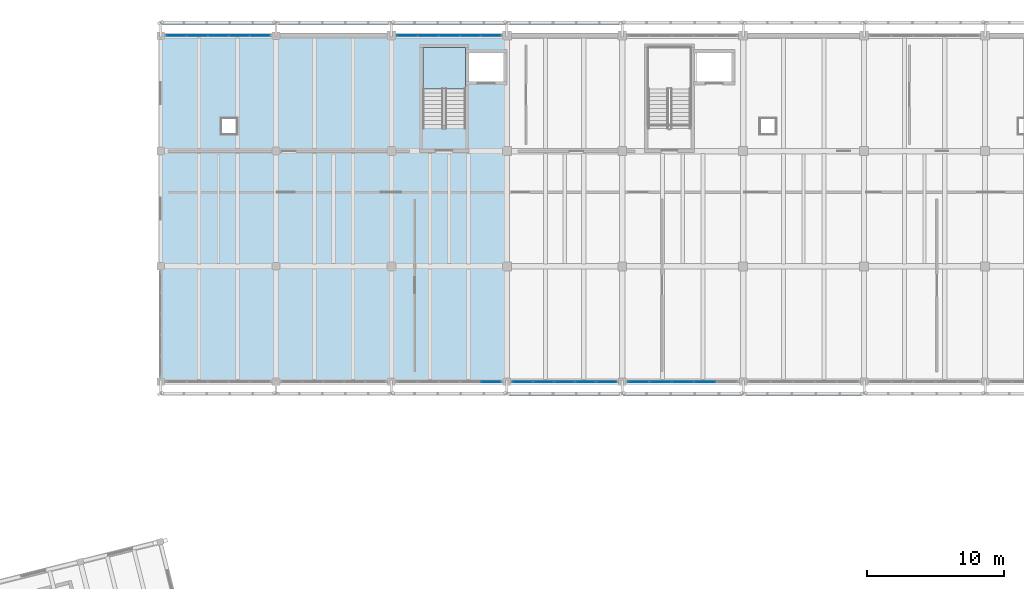
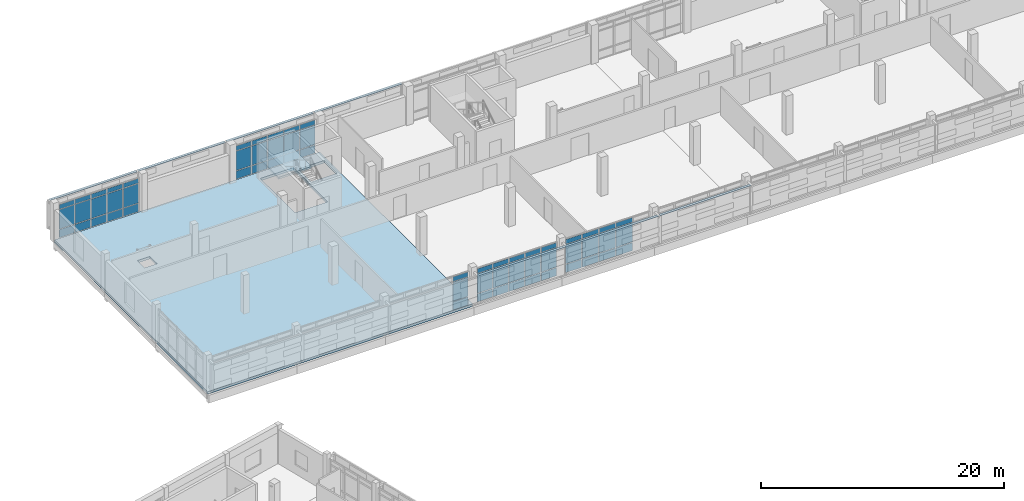
# One storey, part 88 of 117: 67 plates, 2 slabs, 6 elements without a shape of their own.
"""IFC4 building model written with IfcOpenShell, lengths in metres."""

from ifc_helpers import new_model, si_unit, direction, frame, origin, origin_2d, place, context, subcontext, project, spatial, polyline, rectangle, outline, extrude, material, layer, layer_set, type_object, element, aggregate, save


model = new_model("IFC4")

# Units and contexts
model_context = context("Model", 3, precision=1e-05, world=origin(), true_north=direction((0.0, 1.0)))
body_context = subcontext(model_context, "Body", "Model", "MODEL_VIEW")
ifc_project = project(units=[si_unit("LENGTHUNIT", "METRE"), si_unit("AREAUNIT", "SQUARE_METRE"), si_unit("VOLUMEUNIT", "CUBIC_METRE"), si_unit("PLANEANGLEUNIT", "RADIAN"), si_unit("MASSUNIT", "GRAM", prefix="KILO")], contexts=[model_context])

# Site, building, storey
site_placement = place(None, origin())
site = spatial("IfcSite", under=ifc_project, at=site_placement, CompositionType="ELEMENT")
building_placement = place(site_placement, origin())
building = spatial("IfcBuilding", under=site, at=building_placement, Name="Cinderway Yard Community Centre", CompositionType="ELEMENT")
storey_placement = place(building_placement, frame((0.0, 0.0, 9.0)))
storey = spatial("IfcBuildingStorey", under=building, at=storey_placement, Name="L02", CompositionType="ELEMENT", Elevation=9.0)

# Curtain wall, plates
ifc_material_1 = material(Name="Aluminium 6063-T6", Category="aluminium")
curtain_wall_type_1 = type_object("IfcCurtainWallType", Name="ENV-CW-TYPE-29", PredefinedType="USERDEFINED", material=ifc_material_1)
curtain_wall_1_placement = place(storey_placement, origin())
curtain_wall_1 = element("IfcCurtainWall", 1, at=curtain_wall_1_placement, inside=storey, type_object=curtain_wall_type_1, Name="V4 Street Curtain Wall ENV-CW-L02-ST-0142", ObjectType="GLAZED CURTAIN WALL", PredefinedType="USERDEFINED")
ifc_material_2 = material(Name="Laminated Low-E Glass", Category="glass")
ifc_layer_1 = layer(ifc_material_2, 0.028076171875, Name="Laminated Low-E Glass")
ifc_layer_set_1 = layer_set([ifc_layer_1], Name="Laminated Low-E Glass")
plate_type_1 = type_object("IfcPlateType", Name="ENV-CW-PAN-IGU28", PredefinedType="CURTAIN_PANEL", material=ifc_layer_set_1)
plate_1_placement = place(storey_placement, frame((42.759033203125, 115.199951171875, 0.06005859375), z_axis=(0.0, 0.0, 1.0), x_axis=(1.0, 0.0, 0.0)))
plate_1 = element("IfcPlate", 2, at=plate_1_placement, type_object=plate_type_1, Name="CW-29 panel 1.1", PredefinedType="CURTAIN_PANEL", context=body_context, shape_type="SweptSolid", body=[
    extrude(rectangle(XDim=1.43798828125, YDim=0.028076171875, at=origin_2d()), origin(), (0.0, 0.0, 1.0), 0.81005859375),
])
plate_2_placement = place(storey_placement, frame((42.759033203125, 115.199951171875, 0.929931640625), z_axis=(0.0, 0.0, 1.0), x_axis=(1.0, 0.0, 0.0)))
plate_2 = element("IfcPlate", 3, at=plate_2_placement, type_object=plate_type_1, Name="CW-29 panel 1.2", PredefinedType="CURTAIN_PANEL", context=body_context, shape_type="SweptSolid", body=[
    extrude(rectangle(XDim=1.43798828125, YDim=0.028076171875, at=origin_2d()), origin(), (0.0, 0.0, 1.0), 1.93994140625),
])
plate_3_placement = place(storey_placement, frame((42.759033203125, 115.199951171875, 2.929931640625), z_axis=(0.0, 0.0, 1.0), x_axis=(1.0, 0.0, 0.0)))
plate_3 = element("IfcPlate", 4, at=plate_3_placement, type_object=plate_type_1, Name="CW-29 panel 1.3", PredefinedType="CURTAIN_PANEL", context=body_context, shape_type="SweptSolid", body=[
    extrude(rectangle(XDim=1.43798828125, YDim=0.028076171875, at=origin_2d()), origin(), (0.0, 0.0, 1.0), 0.4599609375),
])
plate_4_placement = place(storey_placement, frame((44.27197265625, 115.199951171875, 0.06005859375), z_axis=(0.0, 0.0, 1.0), x_axis=(1.0, 0.0, 0.0)))
plate_4 = element("IfcPlate", 5, at=plate_4_placement, type_object=plate_type_1, Name="CW-29 panel 2.1", PredefinedType="CURTAIN_PANEL", context=body_context, shape_type="SweptSolid", body=[
    extrude(rectangle(XDim=1.468017578125, YDim=0.028076171875, at=origin_2d()), origin(), (0.0, 0.0, 1.0), 0.81005859375),
])
plate_5_placement = place(storey_placement, frame((44.27197265625, 115.199951171875, 0.929931640625), z_axis=(0.0, 0.0, 1.0), x_axis=(1.0, 0.0, 0.0)))
plate_5 = element("IfcPlate", 6, at=plate_5_placement, type_object=plate_type_1, Name="CW-29 panel 2.2", PredefinedType="CURTAIN_PANEL", context=body_context, shape_type="SweptSolid", body=[
    extrude(rectangle(XDim=1.468017578125, YDim=0.028076171875, at=origin_2d()), origin(), (0.0, 0.0, 1.0), 1.93994140625),
])
plate_6_placement = place(storey_placement, frame((44.27197265625, 115.199951171875, 2.929931640625), z_axis=(0.0, 0.0, 1.0), x_axis=(1.0, 0.0, 0.0)))
plate_6 = element("IfcPlate", 7, at=plate_6_placement, type_object=plate_type_1, Name="CW-29 panel 2.3", PredefinedType="CURTAIN_PANEL", context=body_context, shape_type="SweptSolid", body=[
    extrude(rectangle(XDim=1.468017578125, YDim=0.028076171875, at=origin_2d()), origin(), (0.0, 0.0, 1.0), 0.4599609375),
])
plate_7_placement = place(storey_placement, frame((45.800048828125, 115.199951171875, 0.06005859375), z_axis=(0.0, 0.0, 1.0), x_axis=(1.0, 0.0, 0.0)))
plate_7 = element("IfcPlate", 8, at=plate_7_placement, type_object=plate_type_1, Name="CW-29 panel 3.1", PredefinedType="CURTAIN_PANEL", context=body_context, shape_type="SweptSolid", body=[
    extrude(rectangle(XDim=1.468017578125, YDim=0.028076171875, at=origin_2d()), origin(), (0.0, 0.0, 1.0), 0.81005859375),
])
plate_8_placement = place(storey_placement, frame((45.800048828125, 115.199951171875, 0.929931640625), z_axis=(0.0, 0.0, 1.0), x_axis=(1.0, 0.0, 0.0)))
plate_8 = element("IfcPlate", 9, at=plate_8_placement, type_object=plate_type_1, Name="CW-29 panel 3.2", PredefinedType="CURTAIN_PANEL", context=body_context, shape_type="SweptSolid", body=[
    extrude(rectangle(XDim=1.468017578125, YDim=0.028076171875, at=origin_2d()), origin(), (0.0, 0.0, 1.0), 1.93994140625),
])
plate_9_placement = place(storey_placement, frame((45.800048828125, 115.199951171875, 2.929931640625), z_axis=(0.0, 0.0, 1.0), x_axis=(1.0, 0.0, 0.0)))
plate_9 = element("IfcPlate", 10, at=plate_9_placement, type_object=plate_type_1, Name="CW-29 panel 3.3", PredefinedType="CURTAIN_PANEL", context=body_context, shape_type="SweptSolid", body=[
    extrude(rectangle(XDim=1.468017578125, YDim=0.028076171875, at=origin_2d()), origin(), (0.0, 0.0, 1.0), 0.4599609375),
])
plate_10_placement = place(storey_placement, frame((47.327880859375, 115.199951171875, 0.06005859375), z_axis=(0.0, 0.0, 1.0), x_axis=(1.0, 0.0, 0.0)))
plate_10 = element("IfcPlate", 11, at=plate_10_placement, type_object=plate_type_1, Name="CW-29 panel 4.1", PredefinedType="CURTAIN_PANEL", context=body_context, shape_type="SweptSolid", body=[
    extrude(rectangle(XDim=1.468017578125, YDim=0.028076171875, at=origin_2d()), origin(), (0.0, 0.0, 1.0), 0.81005859375),
])
plate_11_placement = place(storey_placement, frame((47.327880859375, 115.199951171875, 0.929931640625), z_axis=(0.0, 0.0, 1.0), x_axis=(1.0, 0.0, 0.0)))
plate_11 = element("IfcPlate", 12, at=plate_11_placement, type_object=plate_type_1, Name="CW-29 panel 4.2", PredefinedType="CURTAIN_PANEL", context=body_context, shape_type="SweptSolid", body=[
    extrude(rectangle(XDim=1.468017578125, YDim=0.028076171875, at=origin_2d()), origin(), (0.0, 0.0, 1.0), 1.93994140625),
])
plate_12_placement = place(storey_placement, frame((47.327880859375, 115.199951171875, 2.929931640625), z_axis=(0.0, 0.0, 1.0), x_axis=(1.0, 0.0, 0.0)))
plate_12 = element("IfcPlate", 13, at=plate_12_placement, type_object=plate_type_1, Name="CW-29 panel 4.3", PredefinedType="CURTAIN_PANEL", context=body_context, shape_type="SweptSolid", body=[
    extrude(rectangle(XDim=1.468017578125, YDim=0.028076171875, at=origin_2d()), origin(), (0.0, 0.0, 1.0), 0.4599609375),
])
plate_13_placement = place(storey_placement, frame((48.841064453125, 115.199951171875, 0.06005859375), z_axis=(0.0, 0.0, 1.0), x_axis=(1.0, 0.0, 0.0)))
plate_13 = element("IfcPlate", 14, at=plate_13_placement, type_object=plate_type_1, Name="CW-29 panel 5.1", PredefinedType="CURTAIN_PANEL", context=body_context, shape_type="SweptSolid", body=[
    extrude(rectangle(XDim=1.43798828125, YDim=0.028076171875, at=origin_2d()), origin(), (0.0, 0.0, 1.0), 0.81005859375),
])
plate_14_placement = place(storey_placement, frame((48.841064453125, 115.199951171875, 0.929931640625), z_axis=(0.0, 0.0, 1.0), x_axis=(1.0, 0.0, 0.0)))
plate_14 = element("IfcPlate", 15, at=plate_14_placement, type_object=plate_type_1, Name="CW-29 panel 5.2", PredefinedType="CURTAIN_PANEL", context=body_context, shape_type="SweptSolid", body=[
    extrude(rectangle(XDim=1.43798828125, YDim=0.028076171875, at=origin_2d()), origin(), (0.0, 0.0, 1.0), 1.93994140625),
])
plate_15_placement = place(storey_placement, frame((48.841064453125, 115.199951171875, 2.929931640625), z_axis=(0.0, 0.0, 1.0), x_axis=(1.0, 0.0, 0.0)))
plate_15 = element("IfcPlate", 16, at=plate_15_placement, type_object=plate_type_1, Name="CW-29 panel 5.3", PredefinedType="CURTAIN_PANEL", context=body_context, shape_type="SweptSolid", body=[
    extrude(rectangle(XDim=1.43798828125, YDim=0.028076171875, at=origin_2d()), origin(), (0.0, 0.0, 1.0), 0.4599609375),
])
aggregate(curtain_wall_1, [plate_1, plate_2, plate_3, plate_4, plate_5, plate_6, plate_7, plate_8, plate_9, plate_10, plate_11, plate_12, plate_13, plate_14, plate_15])

curtain_wall_2_placement = place(storey_placement, origin())
curtain_wall_2 = element("IfcCurtainWall", 17, at=curtain_wall_2_placement, inside=storey, type_object=curtain_wall_type_1, Name="V4 Street Curtain Wall ENV-CW-L02-ST-0145", ObjectType="GLAZED CURTAIN WALL", PredefinedType="USERDEFINED")
plate_16_placement = place(storey_placement, frame((59.55908203125, 115.199951171875, 0.06005859375), z_axis=(0.0, 0.0, 1.0), x_axis=(1.0, 0.0, 0.0)))
plate_16 = element("IfcPlate", 18, at=plate_16_placement, type_object=plate_type_1, Name="CW-29 panel 1.1", PredefinedType="CURTAIN_PANEL", context=body_context, shape_type="SweptSolid", body=[
    extrude(rectangle(XDim=1.43798828125, YDim=0.028076171875, at=origin_2d()), origin(), (0.0, 0.0, 1.0), 0.81005859375),
])
plate_17_placement = place(storey_placement, frame((59.55908203125, 115.199951171875, 0.929931640625), z_axis=(0.0, 0.0, 1.0), x_axis=(1.0, 0.0, 0.0)))
plate_17 = element("IfcPlate", 19, at=plate_17_placement, type_object=plate_type_1, Name="CW-29 panel 1.2", PredefinedType="CURTAIN_PANEL", context=body_context, shape_type="SweptSolid", body=[
    extrude(rectangle(XDim=1.43798828125, YDim=0.028076171875, at=origin_2d()), origin(), (0.0, 0.0, 1.0), 1.93994140625),
])
plate_18_placement = place(storey_placement, frame((59.55908203125, 115.199951171875, 2.929931640625), z_axis=(0.0, 0.0, 1.0), x_axis=(1.0, 0.0, 0.0)))
plate_18 = element("IfcPlate", 20, at=plate_18_placement, type_object=plate_type_1, Name="CW-29 panel 1.3", PredefinedType="CURTAIN_PANEL", context=body_context, shape_type="SweptSolid", body=[
    extrude(rectangle(XDim=1.43798828125, YDim=0.028076171875, at=origin_2d()), origin(), (0.0, 0.0, 1.0), 0.4599609375),
])
plate_19_placement = place(storey_placement, frame((61.072021484375, 115.199951171875, 0.06005859375), z_axis=(0.0, 0.0, 1.0), x_axis=(1.0, 0.0, 0.0)))
plate_19 = element("IfcPlate", 21, at=plate_19_placement, type_object=plate_type_1, Name="CW-29 panel 2.1", PredefinedType="CURTAIN_PANEL", context=body_context, shape_type="SweptSolid", body=[
    extrude(rectangle(XDim=1.468017578125, YDim=0.028076171875, at=origin_2d()), origin(), (0.0, 0.0, 1.0), 0.81005859375),
])
plate_20_placement = place(storey_placement, frame((61.072021484375, 115.199951171875, 0.929931640625), z_axis=(0.0, 0.0, 1.0), x_axis=(1.0, 0.0, 0.0)))
plate_20 = element("IfcPlate", 22, at=plate_20_placement, type_object=plate_type_1, Name="CW-29 panel 2.2", PredefinedType="CURTAIN_PANEL", context=body_context, shape_type="SweptSolid", body=[
    extrude(rectangle(XDim=1.468017578125, YDim=0.028076171875, at=origin_2d()), origin(), (0.0, 0.0, 1.0), 1.93994140625),
])
plate_21_placement = place(storey_placement, frame((61.072021484375, 115.199951171875, 2.929931640625), z_axis=(0.0, 0.0, 1.0), x_axis=(1.0, 0.0, 0.0)))
plate_21 = element("IfcPlate", 23, at=plate_21_placement, type_object=plate_type_1, Name="CW-29 panel 2.3", PredefinedType="CURTAIN_PANEL", context=body_context, shape_type="SweptSolid", body=[
    extrude(rectangle(XDim=1.468017578125, YDim=0.028076171875, at=origin_2d()), origin(), (0.0, 0.0, 1.0), 0.4599609375),
])
plate_22_placement = place(storey_placement, frame((62.60009765625, 115.199951171875, 0.06005859375), z_axis=(0.0, 0.0, 1.0), x_axis=(1.0, 0.0, 0.0)))
plate_22 = element("IfcPlate", 24, at=plate_22_placement, type_object=plate_type_1, Name="CW-29 panel 3.1", PredefinedType="CURTAIN_PANEL", context=body_context, shape_type="SweptSolid", body=[
    extrude(rectangle(XDim=1.468017578125, YDim=0.028076171875, at=origin_2d()), origin(), (0.0, 0.0, 1.0), 0.81005859375),
])
plate_23_placement = place(storey_placement, frame((62.60009765625, 115.199951171875, 0.929931640625), z_axis=(0.0, 0.0, 1.0), x_axis=(1.0, 0.0, 0.0)))
plate_23 = element("IfcPlate", 25, at=plate_23_placement, type_object=plate_type_1, Name="CW-29 panel 3.2", PredefinedType="CURTAIN_PANEL", context=body_context, shape_type="SweptSolid", body=[
    extrude(rectangle(XDim=1.468017578125, YDim=0.028076171875, at=origin_2d()), origin(), (0.0, 0.0, 1.0), 1.93994140625),
])
plate_24_placement = place(storey_placement, frame((62.60009765625, 115.199951171875, 2.929931640625), z_axis=(0.0, 0.0, 1.0), x_axis=(1.0, 0.0, 0.0)))
plate_24 = element("IfcPlate", 26, at=plate_24_placement, type_object=plate_type_1, Name="CW-29 panel 3.3", PredefinedType="CURTAIN_PANEL", context=body_context, shape_type="SweptSolid", body=[
    extrude(rectangle(XDim=1.468017578125, YDim=0.028076171875, at=origin_2d()), origin(), (0.0, 0.0, 1.0), 0.4599609375),
])
plate_25_placement = place(storey_placement, frame((64.1279296875, 115.199951171875, 0.06005859375), z_axis=(0.0, 0.0, 1.0), x_axis=(1.0, 0.0, 0.0)))
plate_25 = element("IfcPlate", 27, at=plate_25_placement, type_object=plate_type_1, Name="CW-29 panel 4.1", PredefinedType="CURTAIN_PANEL", context=body_context, shape_type="SweptSolid", body=[
    extrude(rectangle(XDim=1.468017578125, YDim=0.028076171875, at=origin_2d()), origin(), (0.0, 0.0, 1.0), 0.81005859375),
])
plate_26_placement = place(storey_placement, frame((64.1279296875, 115.199951171875, 0.929931640625), z_axis=(0.0, 0.0, 1.0), x_axis=(1.0, 0.0, 0.0)))
plate_26 = element("IfcPlate", 28, at=plate_26_placement, type_object=plate_type_1, Name="CW-29 panel 4.2", PredefinedType="CURTAIN_PANEL", context=body_context, shape_type="SweptSolid", body=[
    extrude(rectangle(XDim=1.468017578125, YDim=0.028076171875, at=origin_2d()), origin(), (0.0, 0.0, 1.0), 1.93994140625),
])
plate_27_placement = place(storey_placement, frame((64.1279296875, 115.199951171875, 2.929931640625), z_axis=(0.0, 0.0, 1.0), x_axis=(1.0, 0.0, 0.0)))
plate_27 = element("IfcPlate", 29, at=plate_27_placement, type_object=plate_type_1, Name="CW-29 panel 4.3", PredefinedType="CURTAIN_PANEL", context=body_context, shape_type="SweptSolid", body=[
    extrude(rectangle(XDim=1.468017578125, YDim=0.028076171875, at=origin_2d()), origin(), (0.0, 0.0, 1.0), 0.4599609375),
])
plate_28_placement = place(storey_placement, frame((65.64111328125, 115.199951171875, 0.06005859375), z_axis=(0.0, 0.0, 1.0), x_axis=(1.0, 0.0, 0.0)))
plate_28 = element("IfcPlate", 30, at=plate_28_placement, type_object=plate_type_1, Name="CW-29 panel 5.1", PredefinedType="CURTAIN_PANEL", context=body_context, shape_type="SweptSolid", body=[
    extrude(rectangle(XDim=1.43798828125, YDim=0.028076171875, at=origin_2d()), origin(), (0.0, 0.0, 1.0), 0.81005859375),
])
plate_29_placement = place(storey_placement, frame((65.64111328125, 115.199951171875, 0.929931640625), z_axis=(0.0, 0.0, 1.0), x_axis=(1.0, 0.0, 0.0)))
plate_29 = element("IfcPlate", 31, at=plate_29_placement, type_object=plate_type_1, Name="CW-29 panel 5.2", PredefinedType="CURTAIN_PANEL", context=body_context, shape_type="SweptSolid", body=[
    extrude(rectangle(XDim=1.43798828125, YDim=0.028076171875, at=origin_2d()), origin(), (0.0, 0.0, 1.0), 1.93994140625),
])
plate_30_placement = place(storey_placement, frame((65.64111328125, 115.199951171875, 2.929931640625), z_axis=(0.0, 0.0, 1.0), x_axis=(1.0, 0.0, 0.0)))
plate_30 = element("IfcPlate", 32, at=plate_30_placement, type_object=plate_type_1, Name="CW-29 panel 5.3", PredefinedType="CURTAIN_PANEL", context=body_context, shape_type="SweptSolid", body=[
    extrude(rectangle(XDim=1.43798828125, YDim=0.028076171875, at=origin_2d()), origin(), (0.0, 0.0, 1.0), 0.4599609375),
])
aggregate(curtain_wall_2, [plate_16, plate_17, plate_18, plate_19, plate_20, plate_21, plate_22, plate_23, plate_24, plate_25, plate_26, plate_27, plate_28, plate_29, plate_30])

curtain_wall_3_placement = place(storey_placement, origin())
curtain_wall_3 = element("IfcCurtainWall", 33, at=curtain_wall_3_placement, inside=storey, type_object=curtain_wall_type_1, Name="V4 Courtyard Curtain Wall ENV-CW-L02-ST-0146", ObjectType="GLAZED CURTAIN WALL", PredefinedType="USERDEFINED")
plate_31_placement = place(storey_placement, frame((65.64111328125, 90.0, 0.06005859375), z_axis=(0.0, 0.0, 1.0), x_axis=(1.0, 0.0, 0.0)))
plate_31 = element("IfcPlate", 34, at=plate_31_placement, type_object=plate_type_1, Name="CW-29 panel 5.1", PredefinedType="CURTAIN_PANEL", context=body_context, shape_type="SweptSolid", body=[
    extrude(rectangle(XDim=1.43798828125, YDim=0.028076171875, at=origin_2d()), origin(), (0.0, 0.0, 1.0), 0.81005859375),
])
plate_32_placement = place(storey_placement, frame((65.64111328125, 90.0, 0.929931640625), z_axis=(0.0, 0.0, 1.0), x_axis=(1.0, 0.0, 0.0)))
plate_32 = element("IfcPlate", 35, at=plate_32_placement, type_object=plate_type_1, Name="CW-29 panel 5.2", PredefinedType="CURTAIN_PANEL", context=body_context, shape_type="SweptSolid", body=[
    extrude(rectangle(XDim=1.43798828125, YDim=0.028076171875, at=origin_2d()), origin(), (0.0, 0.0, 1.0), 1.93994140625),
])
plate_33_placement = place(storey_placement, frame((65.64111328125, 90.0, 2.929931640625), z_axis=(0.0, 0.0, 1.0), x_axis=(1.0, 0.0, 0.0)))
plate_33 = element("IfcPlate", 36, at=plate_33_placement, type_object=plate_type_1, Name="CW-29 panel 5.3", PredefinedType="CURTAIN_PANEL", context=body_context, shape_type="SweptSolid", body=[
    extrude(rectangle(XDim=1.43798828125, YDim=0.028076171875, at=origin_2d()), origin(), (0.0, 0.0, 1.0), 0.4599609375),
])
aggregate(curtain_wall_3, [plate_31, plate_32, plate_33])

curtain_wall_4_placement = place(storey_placement, origin())
curtain_wall_4 = element("IfcCurtainWall", 37, at=curtain_wall_4_placement, inside=storey, type_object=curtain_wall_type_1, Name="V4 Courtyard Curtain Wall ENV-CW-L02-ST-0147", ObjectType="GLAZED CURTAIN WALL", PredefinedType="USERDEFINED")
plate_34_placement = place(storey_placement, frame((67.958984375, 90.0, 0.06005859375), z_axis=(0.0, 0.0, 1.0), x_axis=(1.0, 0.0, 0.0)))
plate_34 = element("IfcPlate", 38, at=plate_34_placement, type_object=plate_type_1, Name="CW-29 panel 1.1", PredefinedType="CURTAIN_PANEL", context=body_context, shape_type="SweptSolid", body=[
    extrude(rectangle(XDim=1.43798828125, YDim=0.028076171875, at=origin_2d()), origin(), (0.0, 0.0, 1.0), 0.81005859375),
])
plate_35_placement = place(storey_placement, frame((67.958984375, 90.0, 0.929931640625), z_axis=(0.0, 0.0, 1.0), x_axis=(1.0, 0.0, 0.0)))
plate_35 = element("IfcPlate", 39, at=plate_35_placement, type_object=plate_type_1, Name="CW-29 panel 1.2", PredefinedType="CURTAIN_PANEL", context=body_context, shape_type="SweptSolid", body=[
    extrude(rectangle(XDim=1.43798828125, YDim=0.028076171875, at=origin_2d()), origin(), (0.0, 0.0, 1.0), 1.93994140625),
])
plate_36_placement = place(storey_placement, frame((67.958984375, 90.0, 2.929931640625), z_axis=(0.0, 0.0, 1.0), x_axis=(1.0, 0.0, 0.0)))
plate_36 = element("IfcPlate", 40, at=plate_36_placement, type_object=plate_type_1, Name="CW-29 panel 1.3", PredefinedType="CURTAIN_PANEL", context=body_context, shape_type="SweptSolid", body=[
    extrude(rectangle(XDim=1.43798828125, YDim=0.028076171875, at=origin_2d()), origin(), (0.0, 0.0, 1.0), 0.4599609375),
])
plate_37_placement = place(storey_placement, frame((69.471923828125, 90.0, 0.06005859375), z_axis=(0.0, 0.0, 1.0), x_axis=(1.0, 0.0, 0.0)))
plate_37 = element("IfcPlate", 41, at=plate_37_placement, type_object=plate_type_1, Name="CW-29 panel 2.1", PredefinedType="CURTAIN_PANEL", context=body_context, shape_type="SweptSolid", body=[
    extrude(rectangle(XDim=1.468017578125, YDim=0.028076171875, at=origin_2d()), origin(), (0.0, 0.0, 1.0), 0.81005859375),
])
plate_38_placement = place(storey_placement, frame((69.471923828125, 90.0, 0.929931640625), z_axis=(0.0, 0.0, 1.0), x_axis=(1.0, 0.0, 0.0)))
plate_38 = element("IfcPlate", 42, at=plate_38_placement, type_object=plate_type_1, Name="CW-29 panel 2.2", PredefinedType="CURTAIN_PANEL", context=body_context, shape_type="SweptSolid", body=[
    extrude(rectangle(XDim=1.468017578125, YDim=0.028076171875, at=origin_2d()), origin(), (0.0, 0.0, 1.0), 1.93994140625),
])
plate_39_placement = place(storey_placement, frame((69.471923828125, 90.0, 2.929931640625), z_axis=(0.0, 0.0, 1.0), x_axis=(1.0, 0.0, 0.0)))
plate_39 = element("IfcPlate", 43, at=plate_39_placement, type_object=plate_type_1, Name="CW-29 panel 2.3", PredefinedType="CURTAIN_PANEL", context=body_context, shape_type="SweptSolid", body=[
    extrude(rectangle(XDim=1.468017578125, YDim=0.028076171875, at=origin_2d()), origin(), (0.0, 0.0, 1.0), 0.4599609375),
])
plate_40_placement = place(storey_placement, frame((71.0, 90.0, 0.06005859375), z_axis=(0.0, 0.0, 1.0), x_axis=(1.0, 0.0, 0.0)))
plate_40 = element("IfcPlate", 44, at=plate_40_placement, type_object=plate_type_1, Name="CW-29 panel 3.1", PredefinedType="CURTAIN_PANEL", context=body_context, shape_type="SweptSolid", body=[
    extrude(rectangle(XDim=1.468017578125, YDim=0.028076171875, at=origin_2d()), origin(), (0.0, 0.0, 1.0), 0.81005859375),
])
plate_41_placement = place(storey_placement, frame((71.0, 90.0, 0.929931640625), z_axis=(0.0, 0.0, 1.0), x_axis=(1.0, 0.0, 0.0)))
plate_41 = element("IfcPlate", 45, at=plate_41_placement, type_object=plate_type_1, Name="CW-29 panel 3.2", PredefinedType="CURTAIN_PANEL", context=body_context, shape_type="SweptSolid", body=[
    extrude(rectangle(XDim=1.468017578125, YDim=0.028076171875, at=origin_2d()), origin(), (0.0, 0.0, 1.0), 1.93994140625),
])
plate_42_placement = place(storey_placement, frame((71.0, 90.0, 2.929931640625), z_axis=(0.0, 0.0, 1.0), x_axis=(1.0, 0.0, 0.0)))
plate_42 = element("IfcPlate", 46, at=plate_42_placement, type_object=plate_type_1, Name="CW-29 panel 3.3", PredefinedType="CURTAIN_PANEL", context=body_context, shape_type="SweptSolid", body=[
    extrude(rectangle(XDim=1.468017578125, YDim=0.028076171875, at=origin_2d()), origin(), (0.0, 0.0, 1.0), 0.4599609375),
])
plate_43_placement = place(storey_placement, frame((72.528076171875, 90.0, 0.06005859375), z_axis=(0.0, 0.0, 1.0), x_axis=(1.0, 0.0, 0.0)))
plate_43 = element("IfcPlate", 47, at=plate_43_placement, type_object=plate_type_1, Name="CW-29 panel 4.1", PredefinedType="CURTAIN_PANEL", context=body_context, shape_type="SweptSolid", body=[
    extrude(rectangle(XDim=1.468017578125, YDim=0.028076171875, at=origin_2d()), origin(), (0.0, 0.0, 1.0), 0.81005859375),
])
plate_44_placement = place(storey_placement, frame((72.528076171875, 90.0, 0.929931640625), z_axis=(0.0, 0.0, 1.0), x_axis=(1.0, 0.0, 0.0)))
plate_44 = element("IfcPlate", 48, at=plate_44_placement, type_object=plate_type_1, Name="CW-29 panel 4.2", PredefinedType="CURTAIN_PANEL", context=body_context, shape_type="SweptSolid", body=[
    extrude(rectangle(XDim=1.468017578125, YDim=0.028076171875, at=origin_2d()), origin(), (0.0, 0.0, 1.0), 1.93994140625),
])
plate_45_placement = place(storey_placement, frame((72.528076171875, 90.0, 2.929931640625), z_axis=(0.0, 0.0, 1.0), x_axis=(1.0, 0.0, 0.0)))
plate_45 = element("IfcPlate", 49, at=plate_45_placement, type_object=plate_type_1, Name="CW-29 panel 4.3", PredefinedType="CURTAIN_PANEL", context=body_context, shape_type="SweptSolid", body=[
    extrude(rectangle(XDim=1.468017578125, YDim=0.028076171875, at=origin_2d()), origin(), (0.0, 0.0, 1.0), 0.4599609375),
])
plate_46_placement = place(storey_placement, frame((74.041015625, 90.0, 0.06005859375), z_axis=(0.0, 0.0, 1.0), x_axis=(1.0, 0.0, 0.0)))
plate_46 = element("IfcPlate", 50, at=plate_46_placement, type_object=plate_type_1, Name="CW-29 panel 5.1", PredefinedType="CURTAIN_PANEL", context=body_context, shape_type="SweptSolid", body=[
    extrude(rectangle(XDim=1.43798828125, YDim=0.028076171875, at=origin_2d()), origin(), (0.0, 0.0, 1.0), 0.81005859375),
])
plate_47_placement = place(storey_placement, frame((74.041015625, 90.0, 0.929931640625), z_axis=(0.0, 0.0, 1.0), x_axis=(1.0, 0.0, 0.0)))
plate_47 = element("IfcPlate", 51, at=plate_47_placement, type_object=plate_type_1, Name="CW-29 panel 5.2", PredefinedType="CURTAIN_PANEL", context=body_context, shape_type="SweptSolid", body=[
    extrude(rectangle(XDim=1.43798828125, YDim=0.028076171875, at=origin_2d()), origin(), (0.0, 0.0, 1.0), 1.93994140625),
])
plate_48_placement = place(storey_placement, frame((74.041015625, 90.0, 2.929931640625), z_axis=(0.0, 0.0, 1.0), x_axis=(1.0, 0.0, 0.0)))
plate_48 = element("IfcPlate", 52, at=plate_48_placement, type_object=plate_type_1, Name="CW-29 panel 5.3", PredefinedType="CURTAIN_PANEL", context=body_context, shape_type="SweptSolid", body=[
    extrude(rectangle(XDim=1.43798828125, YDim=0.028076171875, at=origin_2d()), origin(), (0.0, 0.0, 1.0), 0.4599609375),
])
aggregate(curtain_wall_4, [plate_34, plate_35, plate_36, plate_37, plate_38, plate_39, plate_40, plate_41, plate_42, plate_43, plate_44, plate_45, plate_46, plate_47, plate_48])

curtain_wall_type_2 = type_object("IfcCurtainWallType", Name="ENV-CW-TYPE-30", PredefinedType="USERDEFINED", material=ifc_material_1)
curtain_wall_5_placement = place(storey_placement, origin())
curtain_wall_5 = element("IfcCurtainWall", 53, at=curtain_wall_5_placement, inside=storey, type_object=curtain_wall_type_2, Name="V4 Courtyard Curtain Wall ENV-CW-L02-ST-0149", ObjectType="GLAZED CURTAIN WALL", PredefinedType="USERDEFINED")
plate_49_placement = place(storey_placement, frame((76.39892578125, 90.0, 0.06005859375), z_axis=(0.0, 0.0, 1.0), x_axis=(1.0, 0.0, 0.0)))
plate_49 = element("IfcPlate", 54, at=plate_49_placement, type_object=plate_type_1, Name="CW-30 panel 1.1", PredefinedType="CURTAIN_PANEL", context=body_context, shape_type="SweptSolid", body=[
    extrude(rectangle(XDim=1.51806640625, YDim=0.028076171875, at=origin_2d()), origin(), (0.0, 0.0, 1.0), 0.81005859375),
])
plate_50_placement = place(storey_placement, frame((76.39892578125, 90.0, 0.929931640625), z_axis=(0.0, 0.0, 1.0), x_axis=(1.0, 0.0, 0.0)))
plate_50 = element("IfcPlate", 55, at=plate_50_placement, type_object=plate_type_1, Name="CW-30 panel 1.2", PredefinedType="CURTAIN_PANEL", context=body_context, shape_type="SweptSolid", body=[
    extrude(rectangle(XDim=1.51806640625, YDim=0.028076171875, at=origin_2d()), origin(), (0.0, 0.0, 1.0), 1.93994140625),
])
plate_51_placement = place(storey_placement, frame((76.39892578125, 90.0, 2.929931640625), z_axis=(0.0, 0.0, 1.0), x_axis=(1.0, 0.0, 0.0)))
plate_51 = element("IfcPlate", 56, at=plate_51_placement, type_object=plate_type_1, Name="CW-30 panel 1.3", PredefinedType="CURTAIN_PANEL", context=body_context, shape_type="SweptSolid", body=[
    extrude(rectangle(XDim=1.51806640625, YDim=0.028076171875, at=origin_2d()), origin(), (0.0, 0.0, 1.0), 0.4599609375),
])
plate_52_placement = place(storey_placement, frame((77.991943359375, 90.0, 0.06005859375), z_axis=(0.0, 0.0, 1.0), x_axis=(1.0, 0.0, 0.0)))
plate_52 = element("IfcPlate", 57, at=plate_52_placement, type_object=plate_type_1, Name="CW-30 panel 2.1", PredefinedType="CURTAIN_PANEL", context=body_context, shape_type="SweptSolid", body=[
    extrude(rectangle(XDim=1.548095703125, YDim=0.028076171875, at=origin_2d()), origin(), (0.0, 0.0, 1.0), 0.81005859375),
])
plate_53_placement = place(storey_placement, frame((77.991943359375, 90.0, 0.929931640625), z_axis=(0.0, 0.0, 1.0), x_axis=(1.0, 0.0, 0.0)))
plate_53 = element("IfcPlate", 58, at=plate_53_placement, type_object=plate_type_1, Name="CW-30 panel 2.2", PredefinedType="CURTAIN_PANEL", context=body_context, shape_type="SweptSolid", body=[
    extrude(rectangle(XDim=1.548095703125, YDim=0.028076171875, at=origin_2d()), origin(), (0.0, 0.0, 1.0), 1.93994140625),
])
plate_54_placement = place(storey_placement, frame((77.991943359375, 90.0, 2.929931640625), z_axis=(0.0, 0.0, 1.0), x_axis=(1.0, 0.0, 0.0)))
plate_54 = element("IfcPlate", 59, at=plate_54_placement, type_object=plate_type_1, Name="CW-30 panel 2.3", PredefinedType="CURTAIN_PANEL", context=body_context, shape_type="SweptSolid", body=[
    extrude(rectangle(XDim=1.548095703125, YDim=0.028076171875, at=origin_2d()), origin(), (0.0, 0.0, 1.0), 0.4599609375),
])
plate_55_placement = place(storey_placement, frame((79.60009765625, 90.0, 0.06005859375), z_axis=(0.0, 0.0, 1.0), x_axis=(1.0, 0.0, 0.0)))
plate_55 = element("IfcPlate", 60, at=plate_55_placement, type_object=plate_type_1, Name="CW-30 panel 3.1", PredefinedType="CURTAIN_PANEL", context=body_context, shape_type="SweptSolid", body=[
    extrude(rectangle(XDim=1.548095703125, YDim=0.028076171875, at=origin_2d()), origin(), (0.0, 0.0, 1.0), 0.81005859375),
])
plate_56_placement = place(storey_placement, frame((79.60009765625, 90.0, 0.929931640625), z_axis=(0.0, 0.0, 1.0), x_axis=(1.0, 0.0, 0.0)))
plate_56 = element("IfcPlate", 61, at=plate_56_placement, type_object=plate_type_1, Name="CW-30 panel 3.2", PredefinedType="CURTAIN_PANEL", context=body_context, shape_type="SweptSolid", body=[
    extrude(rectangle(XDim=1.548095703125, YDim=0.028076171875, at=origin_2d()), origin(), (0.0, 0.0, 1.0), 1.93994140625),
])
plate_57_placement = place(storey_placement, frame((79.60009765625, 90.0, 2.929931640625), z_axis=(0.0, 0.0, 1.0), x_axis=(1.0, 0.0, 0.0)))
plate_57 = element("IfcPlate", 62, at=plate_57_placement, type_object=plate_type_1, Name="CW-30 panel 3.3", PredefinedType="CURTAIN_PANEL", context=body_context, shape_type="SweptSolid", body=[
    extrude(rectangle(XDim=1.548095703125, YDim=0.028076171875, at=origin_2d()), origin(), (0.0, 0.0, 1.0), 0.4599609375),
])
plate_58_placement = place(storey_placement, frame((81.2080078125, 90.0, 0.06005859375), z_axis=(0.0, 0.0, 1.0), x_axis=(1.0, 0.0, 0.0)))
plate_58 = element("IfcPlate", 63, at=plate_58_placement, type_object=plate_type_1, Name="CW-30 panel 4.1", PredefinedType="CURTAIN_PANEL", context=body_context, shape_type="SweptSolid", body=[
    extrude(rectangle(XDim=1.548095703125, YDim=0.028076171875, at=origin_2d()), origin(), (0.0, 0.0, 1.0), 0.81005859375),
])
plate_59_placement = place(storey_placement, frame((81.2080078125, 90.0, 0.929931640625), z_axis=(0.0, 0.0, 1.0), x_axis=(1.0, 0.0, 0.0)))
plate_59 = element("IfcPlate", 64, at=plate_59_placement, type_object=plate_type_1, Name="CW-30 panel 4.2", PredefinedType="CURTAIN_PANEL", context=body_context, shape_type="SweptSolid", body=[
    extrude(rectangle(XDim=1.548095703125, YDim=0.028076171875, at=origin_2d()), origin(), (0.0, 0.0, 1.0), 1.93994140625),
])
plate_60_placement = place(storey_placement, frame((81.2080078125, 90.0, 2.929931640625), z_axis=(0.0, 0.0, 1.0), x_axis=(1.0, 0.0, 0.0)))
plate_60 = element("IfcPlate", 65, at=plate_60_placement, type_object=plate_type_1, Name="CW-30 panel 4.3", PredefinedType="CURTAIN_PANEL", context=body_context, shape_type="SweptSolid", body=[
    extrude(rectangle(XDim=1.548095703125, YDim=0.028076171875, at=origin_2d()), origin(), (0.0, 0.0, 1.0), 0.4599609375),
])
aggregate(curtain_wall_5, [plate_49, plate_50, plate_51, plate_52, plate_53, plate_54, plate_55, plate_56, plate_57, plate_58, plate_59, plate_60])

# Plates
ifc_layer_2 = layer(ifc_material_1, 0.01611328125, Name="Aluminium 6063-T6")
ifc_layer_set_2 = layer_set([ifc_layer_2], Name="Aluminium 6063-T6")
plate_type_2 = type_object("IfcPlateType", Name="ENV-PLT-FASCIA16", PredefinedType="USERDEFINED", material=ifc_layer_set_2)
for number, where, z_axis, x_axis, name in (
    (66, (45.800048828125, 116.14990234375, 3.411865234375), (0.0, 0.0, 1.0), (1.0, 0.0, 0.0), "Screen coping fascia 0013"),
    (67, (54.199951171875, 116.14990234375, 3.411865234375), (0.0, 0.0, 1.0), (1.0, 0.0, 0.0), "Screen coping fascia 0014"),
    (68, (62.60009765625, 116.14990234375, 3.411865234375), (0.0, 0.0, 1.0), (1.0, 0.0, 0.0), "Screen coping fascia 0015"),
    (69, (71.0, 116.14990234375, 3.411865234375), (0.0, 0.0, 1.0), (1.0, 0.0, 0.0), "Screen coping fascia 0016"),
    (70, (71.0, 89.14990234375, 3.411865234375), (0.0, 0.0, 1.0), (-1.0, 0.0, 0.0), "Screen coping fascia 0055"),
):
    element("IfcPlate", number, at=place(storey_placement, frame(where, z_axis=z_axis, x_axis=x_axis)), inside=storey, type_object=plate_type_2, Name=name, ObjectType="FASCIA PLATE", PredefinedType="USERDEFINED", context=body_context, shape_type="SweptSolid", body=[
        extrude(rectangle(XDim=8.300048828125, YDim=0.260009765625, at=origin_2d()), origin(), (0.0, 0.0, 1.0), 0.01611328125),
    ])
for number, where, z_axis, x_axis, name in (
    (71, (79.60009765625, 89.14990234375, 3.411865234375), (0.0, 0.0, 1.0), (-1.0, 0.0, 0.0), "Screen coping fascia 0056"),
    (72, (88.39990234375, 89.14990234375, 3.411865234375), (0.0, 0.0, 1.0), (-1.0, 0.0, 0.0), "Screen coping fascia 0057"),
):
    element("IfcPlate", number, at=place(storey_placement, frame(where, z_axis=z_axis, x_axis=x_axis)), inside=storey, type_object=plate_type_2, Name=name, ObjectType="FASCIA PLATE", PredefinedType="USERDEFINED", context=body_context, shape_type="SweptSolid", body=[
        extrude(rectangle(XDim=8.699951171875, YDim=0.260009765625, at=origin_2d()), origin(), (0.0, 0.0, 1.0), 0.01611328125),
    ])

# Stair, slab
ifc_material_3 = material(Name="Concrete C40/50", Category="concrete")
stair_type = type_object("IfcStairType", Name="INT-STR-390A", PredefinedType="HALF_TURN_STAIR", material=ifc_material_3)
stair_placement = place(storey_placement, origin())
stair = element("IfcStair", 73, at=stair_placement, inside=storey, type_object=stair_type, Name="L02 Core C1 Exit Stair ST-01", PredefinedType="HALF_TURN_STAIR")
ifc_layer_3 = layer(ifc_material_3, 0.199951171875, Name="Concrete C40/50")
ifc_layer_set_3 = layer_set([ifc_layer_3], Name="Concrete C40/50")
slab_type_1 = type_object("IfcSlabType", Name="INT-SLB-LND200", PredefinedType="LANDING", material=ifc_layer_set_3)
slab_1_placement = place(storey_placement, frame((0.0, 0.0, 1.75)))
slab_1 = element("IfcSlab", 74, at=slab_1_placement, type_object=slab_type_1, Name="ST-01 landing 1", PredefinedType="LANDING", context=body_context, shape_type="SweptSolid", body=[
    extrude(outline(polyline([(63.800048828125, 111.330078125), (63.800048828125, 114.35009765625), (60.679931640625, 114.35009765625), (60.679931640625, 111.330078125), (63.800048828125, 111.330078125)])), origin(), (0.0, 0.0, 1.0), 0.199951171875),
])
aggregate(stair, [slab_1])

# Slab
ifc_material_4 = material(Name="Concrete C35/45", Category="concrete")
ifc_layer_4 = layer(ifc_material_4, 0.239990234375, Name="Concrete C35/45")
ifc_layer_set_4 = layer_set([ifc_layer_4], Name="Concrete C35/45")
slab_type_2 = type_object("IfcSlabType", Name="STR-SLAB-FLR-240", PredefinedType="FLOOR", material=ifc_layer_set_4)
slab_2_placement = place(storey_placement, frame((0.0, 0.0, -0.239990234375)))
element("IfcSlab", 75, at=slab_2_placement, inside=storey, type_object=slab_type_2, Name="V4 West A Adult Classrooms Slab L02 STR-SLAB-L02-029", PredefinedType="FLOOR", context=body_context, shape_type="SweptSolid", body=[
    extrude(outline(polyline([(41.60009765625, 90.0), (66.800048828125, 90.0), (66.800048828125, 115.199951171875), (41.60009765625, 115.199951171875), (41.60009765625, 90.0)]), holes=[polyline([(63.800048828125, 108.669921875), (63.800048828125, 114.35009765625), (60.679931640625, 114.35009765625), (60.679931640625, 108.669921875), (63.800048828125, 108.669921875)]), polyline([(64.050048828125, 111.85009765625), (66.550048828125, 111.85009765625), (66.550048828125, 113.949951171875), (64.050048828125, 113.949951171875), (64.050048828125, 111.85009765625)]), polyline([(46.0, 108.0), (47.199951171875, 108.0), (47.199951171875, 109.199951171875), (46.0, 109.199951171875), (46.0, 108.0)])]), origin(), (0.0, 0.0, 1.0), 0.239990234375),
])

save(model, "model.ifc")
